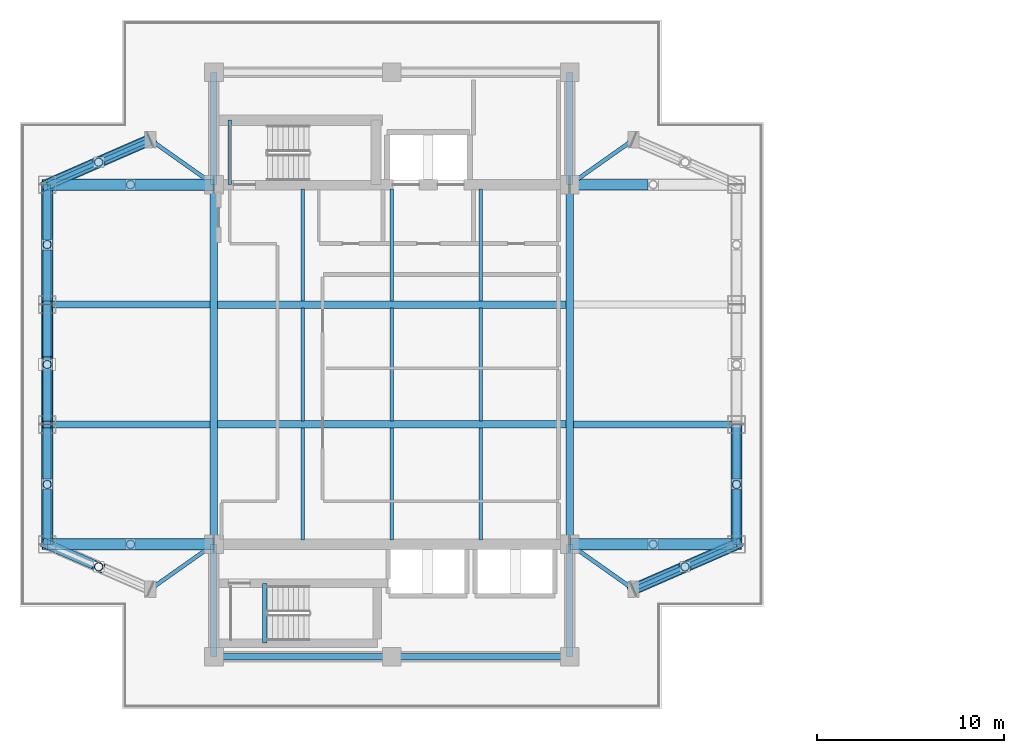
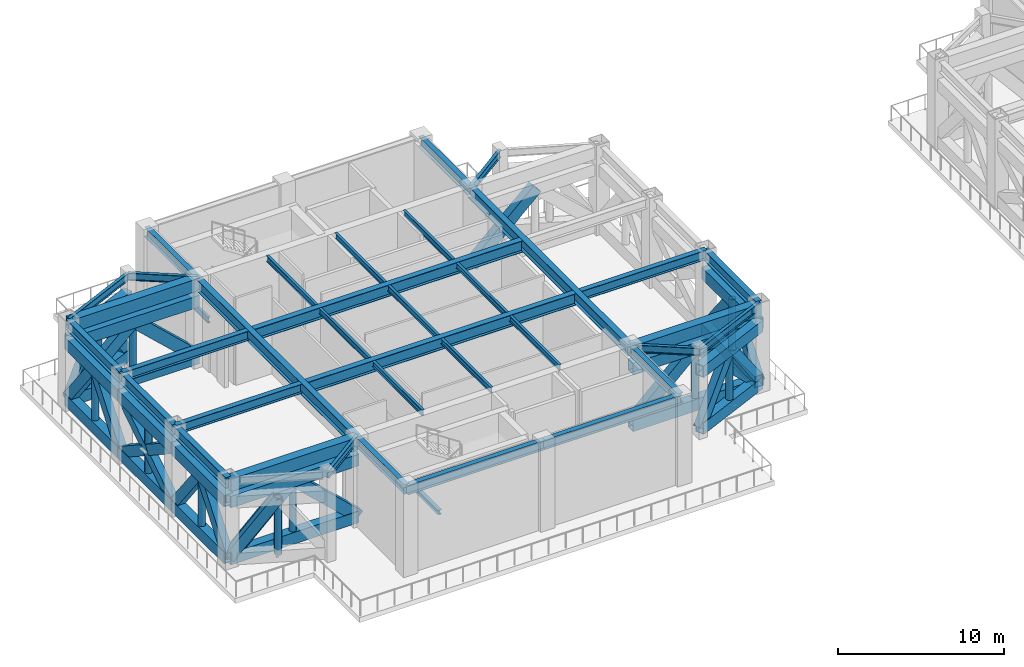
# One storey, part 2 of 18: 49 members, 37 beams.
"""IFC4 building model written with IfcOpenShell, lengths in metres."""

from ifc_helpers import new_model, si_unit, direction, frame, origin, origin_2d, place, context, subcontext, project, spatial, rectangle, hollow_rectangle, hollow_circle, i_section, extrude, material, material_profile, profile_set, type_object, element, save


model = new_model("IFC4")

# Units and contexts
model_context = context("Model", 3, precision=1e-05, world=origin(), true_north=direction((0.0, 1.0)))
body_context = subcontext(model_context, "Body", "Model", "MODEL_VIEW")
ifc_project = project(units=[si_unit("LENGTHUNIT", "METRE"), si_unit("AREAUNIT", "SQUARE_METRE"), si_unit("VOLUMEUNIT", "CUBIC_METRE"), si_unit("PLANEANGLEUNIT", "RADIAN"), si_unit("MASSUNIT", "GRAM", prefix="KILO")], contexts=[model_context])

# Site, building, storey
site_placement = place(None, origin())
site = spatial("IfcSite", under=ifc_project, at=site_placement, CompositionType="ELEMENT")
building_placement = place(site_placement, origin())
building = spatial("IfcBuilding", under=site, at=building_placement, Name="Mirazonda Arch Towers", CompositionType="ELEMENT")
storey_placement = place(building_placement, frame((0.0, 0.0, 147.800048828125)))
storey = spatial("IfcBuildingStorey", under=building, at=storey_placement, Name="L42", CompositionType="ELEMENT", Elevation=147.800048828125)

# Beams
ifc_material_1 = material(Name="Steel ASTM A992 Grade 50", Category="steel")
ifc_material_profile_1 = material_profile(ifc_material_1, i_section(OverallWidth=0.381103515625, OverallDepth=0.77294921875, WebThickness=0.0166015625, FlangeThickness=0.027099609375, at=origin_2d()), Name="W30X173")
ifc_profile_set_1 = profile_set([ifc_material_profile_1], Name="Steel ASTM A992 Grade 50")
beam_type_1 = type_object("IfcBeamType", Name="BM-EXT-W30X173", PredefinedType="USERDEFINED", material=ifc_profile_set_1)
beam_1_placement = place(storey_placement, frame((2.10009765625, 18.39990234375, 6.013427734375), z_axis=(0.0, 1.0, 0.0), x_axis=(-1.0, 0.0, 0.0)))
element("IfcBeam", 1, at=beam_1_placement, inside=storey, type_object=beam_type_1, Name="L42 Floor Beam BM-T1-L42-NS-W-18", ObjectType="GIRDER", PredefinedType="USERDEFINED", context=body_context, shape_type="SweptSolid", body=[
    extrude(i_section(OverallWidth=0.381103515625, OverallDepth=0.77294921875, WebThickness=0.0166015625, FlangeThickness=0.027099609375, at=origin_2d()), origin(), (0.0, 0.0, 1.0), 6.400146484375),
])
beam_2_placement = place(storey_placement, frame((2.10009765625, 24.800048828125, 6.013427734375), z_axis=(0.0, 1.0, 0.0), x_axis=(-1.0, 0.0, 0.0)))
element("IfcBeam", 2, at=beam_2_placement, inside=storey, type_object=beam_type_1, Name="L42 Floor Beam BM-T1-L42-NS-W-24", ObjectType="GIRDER", PredefinedType="USERDEFINED", context=body_context, shape_type="SweptSolid", body=[
    extrude(i_section(OverallWidth=0.381103515625, OverallDepth=0.77294921875, WebThickness=0.0166015625, FlangeThickness=0.027099609375, at=origin_2d()), origin(), (0.0, 0.0, 1.0), 6.39990234375),
])
for number, where, z_axis, x_axis, name in (
    (3, (2.10009765625, 31.199951171875, 6.013427734375), (0.0, 1.0, 0.0), (-1.0, 0.0, 0.0), "L42 Floor Beam BM-T1-L42-NS-W-31"),
    (4, (38.89990234375, 18.39990234375, 6.013427734375), (0.0, 1.0, 0.0), (-1.0, 0.0, 0.0), "L42 Floor Beam BM-T1-L42-NS-E-18"),
):
    element("IfcBeam", number, at=place(storey_placement, frame(where, z_axis=z_axis, x_axis=x_axis)), inside=storey, type_object=beam_type_1, Name=name, ObjectType="GIRDER", PredefinedType="USERDEFINED", context=body_context, shape_type="SweptSolid", body=[
        extrude(i_section(OverallWidth=0.381103515625, OverallDepth=0.77294921875, WebThickness=0.0166015625, FlangeThickness=0.027099609375, at=origin_2d()), origin(), (0.0, 0.0, 1.0), 6.400146484375),
    ])
ifc_material_profile_2 = material_profile(ifc_material_1, i_section(OverallWidth=0.257080078125, OverallDepth=0.330078125, WebThickness=0.011962890625, FlangeThickness=0.01953125, at=origin_2d()), Name="W10X68")
ifc_profile_set_2 = profile_set([ifc_material_profile_2], Name="Steel ASTM A992 Grade 50")
beam_type_2 = type_object("IfcBeamType", Name="BM-INT-W10X68", PredefinedType="BEAM", material=ifc_profile_set_2)
beam_3_placement = place(storey_placement, frame((13.719970703125, 13.1201171875, 2.93505859375), z_axis=(0.0, 1.0, 0.0), x_axis=(-1.0, 0.0, 0.0)))
element("IfcBeam", 5, at=beam_3_placement, inside=storey, type_object=beam_type_2, Name="L42 ST-T1S Landing Trimmer Beam", PredefinedType="BEAM", context=body_context, shape_type="SweptSolid", body=[
    extrude(i_section(OverallWidth=0.257080078125, OverallDepth=0.330078125, WebThickness=0.011962890625, FlangeThickness=0.01953125, at=origin_2d()), origin(), (0.0, 0.0, 1.0), 3.199951171875),
])
ifc_material_profile_3 = material_profile(ifc_material_1, i_section(OverallWidth=0.180908203125, OverallDepth=0.4169921875, WebThickness=0.010986328125, FlangeThickness=0.018310546875, at=origin_2d()), Name="W16X57")
ifc_profile_set_3 = profile_set([ifc_material_profile_3], Name="Steel ASTM A992 Grade 50")
beam_type_3 = type_object("IfcBeamType", Name="BM-INT-W16X57", PredefinedType="JOIST", material=ifc_profile_set_3)
beam_4_placement = place(storey_placement, frame((11.85009765625, 37.60009765625, 2.841552734375), z_axis=(0.0, 1.0, 0.0), x_axis=(-1.0, 0.0, 0.0)))
element("IfcBeam", 6, at=beam_4_placement, inside=storey, type_object=beam_type_3, Name="L42 Floor Beam BM-T1-L42-STL2", PredefinedType="JOIST", context=body_context, shape_type="SweptSolid", body=[
    extrude(i_section(OverallWidth=0.180908203125, OverallDepth=0.4169921875, WebThickness=0.010986328125, FlangeThickness=0.018310546875, at=origin_2d()), origin(), (0.0, 0.0, 1.0), 3.44287109375),
])
for number, where, z_axis, x_axis, name in (
    (7, (15.75, 18.639892578125, 6.19140625), (0.0, 1.0, 0.0), (-1.0, 0.0, 0.0), "L42 Floor Beam BM-T1-L42-J-157-18"),
    (8, (15.75, 31.39599609375, 6.19140625), (0.0, 1.0, 0.0), (-1.0, 0.0, 0.0), "L42 Floor Beam BM-T1-L42-J-157-31"),
):
    element("IfcBeam", number, at=place(storey_placement, frame(where, z_axis=z_axis, x_axis=x_axis)), inside=storey, type_object=beam_type_3, Name=name, PredefinedType="JOIST", context=body_context, shape_type="SweptSolid", body=[
        extrude(i_section(OverallWidth=0.180908203125, OverallDepth=0.4169921875, WebThickness=0.010986328125, FlangeThickness=0.018310546875, at=origin_2d()), origin(), (0.0, 0.0, 1.0), 5.964111328125),
    ])
beam_5_placement = place(storey_placement, frame((15.75, 24.99609375, 6.19140625), z_axis=(0.0, 1.0, 0.0), x_axis=(-1.0, 0.0, 0.0)))
element("IfcBeam", 9, at=beam_5_placement, inside=storey, type_object=beam_type_3, Name="L42 Floor Beam BM-T1-L42-J-157-24", PredefinedType="JOIST", context=body_context, shape_type="SweptSolid", body=[
    extrude(i_section(OverallWidth=0.180908203125, OverallDepth=0.4169921875, WebThickness=0.010986328125, FlangeThickness=0.018310546875, at=origin_2d()), origin(), (0.0, 0.0, 1.0), 6.0078125),
])
for number, where, z_axis, x_axis, name in (
    (10, (20.5, 18.639892578125, 6.19140625), (0.0, 1.0, 0.0), (-1.0, 0.0, 0.0), "L42 Floor Beam BM-T1-L42-J-205-18"),
    (11, (20.5, 31.39599609375, 6.19140625), (0.0, 1.0, 0.0), (-1.0, 0.0, 0.0), "L42 Floor Beam BM-T1-L42-J-205-31"),
):
    element("IfcBeam", number, at=place(storey_placement, frame(where, z_axis=z_axis, x_axis=x_axis)), inside=storey, type_object=beam_type_3, Name=name, PredefinedType="JOIST", context=body_context, shape_type="SweptSolid", body=[
        extrude(i_section(OverallWidth=0.180908203125, OverallDepth=0.4169921875, WebThickness=0.010986328125, FlangeThickness=0.018310546875, at=origin_2d()), origin(), (0.0, 0.0, 1.0), 5.964111328125),
    ])
beam_6_placement = place(storey_placement, frame((20.5, 24.99609375, 6.19140625), z_axis=(0.0, 1.0, 0.0), x_axis=(-1.0, 0.0, 0.0)))
element("IfcBeam", 12, at=beam_6_placement, inside=storey, type_object=beam_type_3, Name="L42 Floor Beam BM-T1-L42-J-205-24", PredefinedType="JOIST", context=body_context, shape_type="SweptSolid", body=[
    extrude(i_section(OverallWidth=0.180908203125, OverallDepth=0.4169921875, WebThickness=0.010986328125, FlangeThickness=0.018310546875, at=origin_2d()), origin(), (0.0, 0.0, 1.0), 6.0078125),
])
for number, where, z_axis, x_axis, name in (
    (13, (25.25, 18.639892578125, 6.19140625), (0.0, 1.0, 0.0), (-1.0, 0.0, 0.0), "L42 Floor Beam BM-T1-L42-J-252-18"),
    (14, (25.25, 31.39599609375, 6.19140625), (0.0, 1.0, 0.0), (-1.0, 0.0, 0.0), "L42 Floor Beam BM-T1-L42-J-252-31"),
):
    element("IfcBeam", number, at=place(storey_placement, frame(where, z_axis=z_axis, x_axis=x_axis)), inside=storey, type_object=beam_type_3, Name=name, PredefinedType="JOIST", context=body_context, shape_type="SweptSolid", body=[
        extrude(i_section(OverallWidth=0.180908203125, OverallDepth=0.4169921875, WebThickness=0.010986328125, FlangeThickness=0.018310546875, at=origin_2d()), origin(), (0.0, 0.0, 1.0), 5.964111328125),
    ])
beam_7_placement = place(storey_placement, frame((25.25, 24.99609375, 6.19140625), z_axis=(0.0, 1.0, 0.0), x_axis=(-1.0, 0.0, 0.0)))
element("IfcBeam", 15, at=beam_7_placement, inside=storey, type_object=beam_type_3, Name="L42 Floor Beam BM-T1-L42-J-252-24", PredefinedType="JOIST", context=body_context, shape_type="SweptSolid", body=[
    extrude(i_section(OverallWidth=0.180908203125, OverallDepth=0.4169921875, WebThickness=0.010986328125, FlangeThickness=0.018310546875, at=origin_2d()), origin(), (0.0, 0.0, 1.0), 6.0078125),
])
ifc_material_profile_4 = material_profile(ifc_material_1, i_section(OverallWidth=0.214111328125, OverallDepth=0.549072265625, WebThickness=0.0146484375, FlangeThickness=0.023681640625, at=origin_2d()), Name="W21X93")
ifc_profile_set_4 = profile_set([ifc_material_profile_4], Name="Steel ASTM A992 Grade 50")
beam_type_4 = type_object("IfcBeamType", Name="BM-INT-W21X93", PredefinedType="BEAM", material=ifc_profile_set_4)
for number, where, z_axis, x_axis, name in (
    (16, (7.60009765625, 16.0, 6.12548828125), (0.816971114901, 0.576678591087, 0.0), (-0.576678591087, 0.816971114901, 0.0), "L42 Floor Beam BM-T1-L42-PL-SW1"),
    (17, (33.39990234375, 16.0, 6.12548828125), (-0.816971114901, 0.576678591087, 0.0), (-0.576678591087, -0.816971114901, 0.0), "L42 Floor Beam BM-T1-L42-PL-SE1"),
):
    element("IfcBeam", number, at=place(storey_placement, frame(where, z_axis=z_axis, x_axis=x_axis)), inside=storey, type_object=beam_type_4, Name=name, PredefinedType="BEAM", context=body_context, shape_type="SweptSolid", body=[
        extrude(i_section(OverallWidth=0.214111328125, OverallDepth=0.549072265625, WebThickness=0.0146484375, FlangeThickness=0.023681640625, at=origin_2d()), origin(), (0.0, 0.0, 1.0), 4.16162109375),
    ])
beam_8_placement = place(storey_placement, frame((33.39990234375, 16.0, 6.12548828125), z_axis=(0.916545343703, 0.399930785183, 0.0), x_axis=(-0.399930785183, 0.916545343703, 0.0)))
element("IfcBeam", 18, at=beam_8_placement, inside=storey, type_object=beam_type_4, Name="L42 Floor Beam BM-T1-L42-PL-SE2", PredefinedType="BEAM", context=body_context, shape_type="SweptSolid", body=[
    extrude(i_section(OverallWidth=0.214111328125, OverallDepth=0.549072265625, WebThickness=0.0146484375, FlangeThickness=0.023681640625, at=origin_2d()), origin(), (0.0, 0.0, 1.0), 6.000732421875),
])
beam_9_placement = place(storey_placement, frame((7.60009765625, 40.0, 6.12548828125), z_axis=(0.816971114901, -0.576678591087, 0.0), x_axis=(0.576678591087, 0.816971114901, 0.0)))
element("IfcBeam", 19, at=beam_9_placement, inside=storey, type_object=beam_type_4, Name="L42 Floor Beam BM-T1-L42-PL-NW1", PredefinedType="BEAM", context=body_context, shape_type="SweptSolid", body=[
    extrude(i_section(OverallWidth=0.214111328125, OverallDepth=0.549072265625, WebThickness=0.0146484375, FlangeThickness=0.023681640625, at=origin_2d()), origin(), (0.0, 0.0, 1.0), 4.16162109375),
])
beam_10_placement = place(storey_placement, frame((7.60009765625, 40.0, 6.12548828125), z_axis=(-0.916545343703, -0.399930785183, 0.0), x_axis=(0.399930785183, -0.916545343703, 0.0)))
element("IfcBeam", 20, at=beam_10_placement, inside=storey, type_object=beam_type_4, Name="L42 Floor Beam BM-T1-L42-PL-NW2", PredefinedType="BEAM", context=body_context, shape_type="SweptSolid", body=[
    extrude(i_section(OverallWidth=0.214111328125, OverallDepth=0.549072265625, WebThickness=0.0146484375, FlangeThickness=0.023681640625, at=origin_2d()), origin(), (0.0, 0.0, 1.0), 6.000732421875),
])
beam_11_placement = place(storey_placement, frame((33.39990234375, 40.0, 6.12548828125), z_axis=(-0.816971114901, -0.576678591087, 0.0), x_axis=(0.576678591087, -0.816971114901, 0.0)))
element("IfcBeam", 21, at=beam_11_placement, inside=storey, type_object=beam_type_4, Name="L42 Floor Beam BM-T1-L42-PL-NE1", PredefinedType="BEAM", context=body_context, shape_type="SweptSolid", body=[
    extrude(i_section(OverallWidth=0.214111328125, OverallDepth=0.549072265625, WebThickness=0.0146484375, FlangeThickness=0.023681640625, at=origin_2d()), origin(), (0.0, 0.0, 1.0), 4.16162109375),
])
ifc_material_profile_5 = material_profile(ifc_material_1, i_section(OverallWidth=0.35498046875, OverallDepth=0.696044921875, WebThickness=0.015380859375, FlangeThickness=0.02490234375, at=origin_2d()), Name="W27X146")
ifc_profile_set_5 = profile_set([ifc_material_profile_5], Name="Steel ASTM A992 Grade 50")
beam_type_5 = type_object("IfcBeamType", Name="BM-INT-W27X146", PredefinedType="BEAM", material=ifc_profile_set_5)
for number, where, z_axis, x_axis, name in (
    (22, (2.10009765625, 24.800048828125, 6.052001953125), (1.0, 0.0, 0.0), (0.0, 1.0, 0.0), "L42 Floor Beam BM-T1-L42-GW2"),
    (23, (30.199951171875, 24.800048828125, 6.052001953125), (1.0, 0.0, 0.0), (0.0, 1.0, 0.0), "L42 Floor Beam BM-T1-L42-GE2"),
    (24, (2.10009765625, 31.199951171875, 6.052001953125), (1.0, 0.0, 0.0), (0.0, 1.0, 0.0), "L42 Floor Beam BM-T1-L42-GW3"),
):
    element("IfcBeam", number, at=place(storey_placement, frame(where, z_axis=z_axis, x_axis=x_axis)), inside=storey, type_object=beam_type_5, Name=name, PredefinedType="BEAM", context=body_context, shape_type="SweptSolid", body=[
        extrude(i_section(OverallWidth=0.35498046875, OverallDepth=0.696044921875, WebThickness=0.015380859375, FlangeThickness=0.02490234375, at=origin_2d()), origin(), (0.0, 0.0, 1.0), 8.699951171875),
    ])
for number, where, z_axis, x_axis, name in (
    (25, (11.0, 12.39990234375, 6.052001953125), (1.0, 0.0, 0.0), (0.0, 1.0, 0.0), "L42 Floor Beam BM-T1-L42-CS1"),
    (26, (20.5, 12.39990234375, 6.052001953125), (1.0, 0.0, 0.0), (0.0, 1.0, 0.0), "L42 Floor Beam BM-T1-L42-CS2"),
):
    element("IfcBeam", number, at=place(storey_placement, frame(where, z_axis=z_axis, x_axis=x_axis)), inside=storey, type_object=beam_type_5, Name=name, PredefinedType="BEAM", context=body_context, shape_type="SweptSolid", body=[
        extrude(i_section(OverallWidth=0.35498046875, OverallDepth=0.696044921875, WebThickness=0.015380859375, FlangeThickness=0.02490234375, at=origin_2d()), origin(), (0.0, 0.0, 1.0), 9.5),
    ])
for number, where, z_axis, x_axis, name in (
    (27, (11.0, 12.39990234375, 6.052001953125), (0.0, 1.0, 0.0), (-1.0, 0.0, 0.0), "L42 Floor Beam BM-T1-L42-CSW"),
    (28, (30.0, 12.39990234375, 6.052001953125), (0.0, 1.0, 0.0), (-1.0, 0.0, 0.0), "L42 Floor Beam BM-T1-L42-CSE"),
    (29, (11.0, 37.60009765625, 6.052001953125), (0.0, 1.0, 0.0), (-1.0, 0.0, 0.0), "L42 Floor Beam BM-T1-L42-CNW"),
    (30, (30.0, 37.60009765625, 6.052001953125), (0.0, 1.0, 0.0), (-1.0, 0.0, 0.0), "L42 Floor Beam BM-T1-L42-CNE"),
):
    element("IfcBeam", number, at=place(storey_placement, frame(where, z_axis=z_axis, x_axis=x_axis)), inside=storey, type_object=beam_type_5, Name=name, PredefinedType="BEAM", context=body_context, shape_type="SweptSolid", body=[
        extrude(i_section(OverallWidth=0.35498046875, OverallDepth=0.696044921875, WebThickness=0.015380859375, FlangeThickness=0.02490234375, at=origin_2d()), origin(), (0.0, 0.0, 1.0), 6.0),
    ])
ifc_material_profile_6 = material_profile(ifc_material_1, i_section(OverallWidth=0.39990234375, OverallDepth=0.85595703125, WebThickness=0.018310546875, FlangeThickness=0.029296875, at=origin_2d()), Name="W33X201")
ifc_profile_set_6 = profile_set([ifc_material_profile_6], Name="Steel ASTM A992 Grade 50")
beam_type_6 = type_object("IfcBeamType", Name="BM-INT-W33X201", PredefinedType="USERDEFINED", material=ifc_profile_set_6)
for number, where, z_axis, x_axis, name in (
    (31, (11.199951171875, 24.800048828125, 5.971923828125), (1.0, 0.0, 0.0), (0.0, 1.0, 0.0), "L42 Floor Beam BM-T1-L42-GC2"),
    (32, (11.199951171875, 31.199951171875, 5.971923828125), (1.0, 0.0, 0.0), (0.0, 1.0, 0.0), "L42 Floor Beam BM-T1-L42-GC3"),
):
    element("IfcBeam", number, at=place(storey_placement, frame(where, z_axis=z_axis, x_axis=x_axis)), inside=storey, type_object=beam_type_6, Name=name, ObjectType="GIRDER", PredefinedType="USERDEFINED", context=body_context, shape_type="SweptSolid", body=[
        extrude(i_section(OverallWidth=0.39990234375, OverallDepth=0.85595703125, WebThickness=0.018310546875, FlangeThickness=0.029296875, at=origin_2d()), origin(), (0.0, 0.0, 1.0), 18.60009765625),
    ])
for number, where, z_axis, x_axis, name in (
    (33, (11.0, 18.39990234375, 5.971923828125), (0.0, 1.0, 0.0), (-1.0, 0.0, 0.0), "L42 Floor Beam BM-T1-L42-NS-CW-FULL"),
    (34, (30.0, 18.39990234375, 5.971923828125), (0.0, 1.0, 0.0), (-1.0, 0.0, 0.0), "L42 Floor Beam BM-T1-L42-NS-CE-FULL"),
):
    element("IfcBeam", number, at=place(storey_placement, frame(where, z_axis=z_axis, x_axis=x_axis)), inside=storey, type_object=beam_type_6, Name=name, ObjectType="GIRDER", PredefinedType="USERDEFINED", context=body_context, shape_type="SweptSolid", body=[
        extrude(i_section(OverallWidth=0.39990234375, OverallDepth=0.85595703125, WebThickness=0.018310546875, FlangeThickness=0.029296875, at=origin_2d()), origin(), (0.0, 0.0, 1.0), 19.2001953125),
    ])
ifc_material_2 = material(Name="Concrete C50/60", Category="concrete")
ifc_material_profile_7 = material_profile(ifc_material_2, rectangle(XDim=0.60009765625, YDim=0.89990234375, at=origin_2d()), Name="RCCB600x900")
ifc_profile_set_7 = profile_set([ifc_material_profile_7], Name="Concrete C50/60")
beam_type_7 = type_object("IfcBeamType", Name="CB-INT-RCCB600x900", PredefinedType="SPANDREL", material=ifc_profile_set_7)
for number, where, z_axis, x_axis, name in (
    (35, (2.10009765625, 37.60009765625, 5.949951171875), (1.0, 0.0, 0.0), (0.0, 1.0, 0.0), "L42 Floor Beam CB-T1-L42-NW"),
    (36, (2.10009765625, 18.39990234375, 5.949951171875), (1.0, 0.0, 0.0), (0.0, 1.0, 0.0), "L42 Floor Beam CB-T1-L42-SW"),
    (37, (30.0, 18.39990234375, 5.949951171875), (1.0, 0.0, 0.0), (0.0, 1.0, 0.0), "L42 Floor Beam CB-T1-L42-SE"),
):
    element("IfcBeam", number, at=place(storey_placement, frame(where, z_axis=z_axis, x_axis=x_axis)), inside=storey, type_object=beam_type_7, Name=name, PredefinedType="SPANDREL", context=body_context, shape_type="SweptSolid", body=[
        extrude(rectangle(XDim=0.60009765625, YDim=0.89990234375, at=origin_2d()), origin(), (0.0, 0.0, 1.0), 8.89990234375),
    ])

# Members
ifc_material_3 = material(Name="Steel ASTM A572 Grade 50", Category="steel")
ifc_material_profile_8 = material_profile(ifc_material_3, hollow_rectangle(XDim=0.60009765625, YDim=0.85009765625, WallThickness=0.048095703125, at=origin_2d()), Name="BELTCHORD850x600x48")
ifc_profile_set_8 = profile_set([ifc_material_profile_8], Name="Steel ASTM A572 Grade 50")
member_type_1 = type_object("IfcMemberType", Name="MBR-EXT-BELTCHORD850x600x48", PredefinedType="CHORD", material=ifc_profile_set_8)
for number, where, z_axis, x_axis, name in (
    (38, (2.10009765625, 18.39990234375, 0.550048828125), (0.0, 1.0, 0.0), (-1.0, 0.0, 0.0), "L42 T1 Wind-Portal Belt Chord BC01"),
    (39, (2.10009765625, 18.39990234375, 4.719970703125), (0.0, 1.0, 0.0), (-1.0, 0.0, 0.0), "L42 T1 Wind-Portal Belt Chord TC01"),
):
    element("IfcMember", number, at=place(storey_placement, frame(where, z_axis=z_axis, x_axis=x_axis)), inside=storey, type_object=member_type_1, Name=name, PredefinedType="CHORD", context=body_context, shape_type="SweptSolid", body=[
        extrude(hollow_rectangle(XDim=0.60009765625, YDim=0.85009765625, WallThickness=0.048095703125, at=origin_2d()), origin(), (0.0, 0.0, 1.0), 6.400146484375),
    ])
for number, where, z_axis, x_axis, name in (
    (40, (2.10009765625, 24.800048828125, 0.550048828125), (0.0, 1.0, 0.0), (-1.0, 0.0, 0.0), "L42 T1 Wind-Portal Belt Chord BC02"),
    (41, (2.10009765625, 24.800048828125, 4.719970703125), (0.0, 1.0, 0.0), (-1.0, 0.0, 0.0), "L42 T1 Wind-Portal Belt Chord TC02"),
):
    element("IfcMember", number, at=place(storey_placement, frame(where, z_axis=z_axis, x_axis=x_axis)), inside=storey, type_object=member_type_1, Name=name, PredefinedType="CHORD", context=body_context, shape_type="SweptSolid", body=[
        extrude(hollow_rectangle(XDim=0.60009765625, YDim=0.85009765625, WallThickness=0.048095703125, at=origin_2d()), origin(), (0.0, 0.0, 1.0), 6.39990234375),
    ])
for number, where, z_axis, x_axis, name in (
    (42, (2.10009765625, 31.199951171875, 0.550048828125), (0.0, 1.0, 0.0), (-1.0, 0.0, 0.0), "L42 T1 Wind-Portal Belt Chord BC03"),
    (43, (2.10009765625, 31.199951171875, 4.719970703125), (0.0, 1.0, 0.0), (-1.0, 0.0, 0.0), "L42 T1 Wind-Portal Belt Chord TC03"),
    (44, (38.89990234375, 18.39990234375, 0.550048828125), (0.0, 1.0, 0.0), (-1.0, 0.0, 0.0), "L42 T1 Wind-Portal Belt Chord BC04"),
    (45, (38.89990234375, 18.39990234375, 4.719970703125), (0.0, 1.0, 0.0), (-1.0, 0.0, 0.0), "L42 T1 Wind-Portal Belt Chord TC04"),
):
    element("IfcMember", number, at=place(storey_placement, frame(where, z_axis=z_axis, x_axis=x_axis)), inside=storey, type_object=member_type_1, Name=name, PredefinedType="CHORD", context=body_context, shape_type="SweptSolid", body=[
        extrude(hollow_rectangle(XDim=0.60009765625, YDim=0.85009765625, WallThickness=0.048095703125, at=origin_2d()), origin(), (0.0, 0.0, 1.0), 6.400146484375),
    ])
for number, where, z_axis, x_axis, name in (
    (46, (33.39990234375, 16.0, 0.550048828125), (0.916545343703, 0.399930785183, 0.0), (-0.399930785183, 0.916545343703, 0.0), "L42 T1 Wind-Portal Belt Chord BC08"),
    (47, (33.39990234375, 16.0, 4.719970703125), (0.916545343703, 0.399930785183, 0.0), (-0.399930785183, 0.916545343703, 0.0), "L42 T1 Wind-Portal Belt Chord TC08"),
    (48, (2.10009765625, 37.60009765625, 0.550048828125), (0.916545343703, 0.399930785183, 0.0), (-0.399930785183, 0.916545343703, 0.0), "L42 T1 Wind-Portal Belt Chord BC09"),
    (49, (2.10009765625, 37.60009765625, 4.719970703125), (0.916545343703, 0.399930785183, 0.0), (-0.399930785183, 0.916545343703, 0.0), "L42 T1 Wind-Portal Belt Chord TC09"),
):
    element("IfcMember", number, at=place(storey_placement, frame(where, z_axis=z_axis, x_axis=x_axis)), inside=storey, type_object=member_type_1, Name=name, PredefinedType="CHORD", context=body_context, shape_type="SweptSolid", body=[
        extrude(hollow_rectangle(XDim=0.60009765625, YDim=0.85009765625, WallThickness=0.048095703125, at=origin_2d()), origin(), (0.0, 0.0, 1.0), 6.000732421875),
    ])
ifc_material_profile_9 = material_profile(ifc_material_3, hollow_rectangle(XDim=0.5, YDim=0.699951171875, WallThickness=0.0400390625, at=origin_2d()), Name="BELTDIAG700x500x40")
ifc_profile_set_9 = profile_set([ifc_material_profile_9], Name="Steel ASTM A572 Grade 50")
member_type_2 = type_object("IfcMemberType", Name="MBR-EXT-BELTDIAG700x500x40", PredefinedType="BRACE", material=ifc_profile_set_9)
for number, where, z_axis, x_axis, name in (
    (50, (2.10009765625, 18.39990234375, 0.550048828125), (0.0, 0.608821504267, 0.79330723931), (-1.0, 0.0, 0.0), "L42 T1 Wind-Portal Belt Diagonal 01A"),
    (51, (2.10009765625, 24.800048828125, 0.550048828125), (0.0, -0.608792272518, 0.793329672282), (1.0, 0.0, 0.0), "L42 T1 Wind-Portal Belt Diagonal 01B"),
):
    element("IfcMember", number, at=place(storey_placement, frame(where, z_axis=z_axis, x_axis=x_axis)), inside=storey, type_object=member_type_2, Name=name, PredefinedType="BRACE", context=body_context, shape_type="SweptSolid", body=[
        extrude(hollow_rectangle(XDim=0.5, YDim=0.699951171875, WallThickness=0.0400390625, at=origin_2d()), origin(), (0.0, 0.0, 1.0), 5.25634765625),
    ])
member_1_placement = place(storey_placement, frame((2.10009765625, 24.800048828125, 0.550048828125), z_axis=(0.0, 0.837845781509, 0.545906994284), x_axis=(-1.0, 0.0, 0.0)))
element("IfcMember", 52, at=member_1_placement, inside=storey, type_object=member_type_2, Name="L42 T1 Continuous X-Brace Diagonal 02", PredefinedType="BRACE", context=body_context, shape_type="SweptSolid", body=[
    extrude(hollow_rectangle(XDim=0.5, YDim=0.699951171875, WallThickness=0.0400390625, at=origin_2d()), origin(), (0.0, 0.0, 1.0), 7.638427734375),
])
member_2_placement = place(storey_placement, frame((2.10009765625, 31.199951171875, 0.550048828125), z_axis=(0.0, -0.83787261911, 0.545865802323), x_axis=(1.0, 0.0, 0.0)))
element("IfcMember", 53, at=member_2_placement, inside=storey, type_object=member_type_2, Name="L42 T1 Split X-Brace Lower Segment 02", PredefinedType="BRACE", context=body_context, shape_type="SweptSolid", body=[
    extrude(hollow_rectangle(XDim=0.5, YDim=0.699951171875, WallThickness=0.0400390625, at=origin_2d()), origin(), (0.0, 0.0, 1.0), 3.5390625),
])
member_3_placement = place(storey_placement, frame((2.10009765625, 27.765380859375, 2.787841796875), z_axis=(0.0, -0.837841068227, 0.545914228054), x_axis=(1.0, 0.0, 0.0)))
element("IfcMember", 54, at=member_3_placement, inside=storey, type_object=member_type_2, Name="L42 T1 Split X-Brace Upper Segment 02", PredefinedType="BRACE", context=body_context, shape_type="SweptSolid", body=[
    extrude(hollow_rectangle(XDim=0.5, YDim=0.699951171875, WallThickness=0.0400390625, at=origin_2d()), origin(), (0.0, 0.0, 1.0), 3.539306640625),
])
for number, where, z_axis, x_axis, name in (
    (55, (2.10009765625, 31.199951171875, 0.550048828125), (0.0, 0.608792272518, 0.793329672282), (-1.0, 0.0, 0.0), "L42 T1 Wind-Portal Belt Diagonal 03A"),
    (56, (2.10009765625, 37.60009765625, 0.550048828125), (0.0, -0.608821504267, 0.79330723931), (1.0, 0.0, 0.0), "L42 T1 Wind-Portal Belt Diagonal 03B"),
    (57, (38.89990234375, 18.39990234375, 0.550048828125), (0.0, 0.608821504267, 0.79330723931), (-1.0, 0.0, 0.0), "L42 T1 Wind-Portal Belt Diagonal 04A"),
    (58, (38.89990234375, 24.800048828125, 0.550048828125), (0.0, -0.608792272518, 0.793329672282), (1.0, 0.0, 0.0), "L42 T1 Wind-Portal Belt Diagonal 04B"),
):
    element("IfcMember", number, at=place(storey_placement, frame(where, z_axis=z_axis, x_axis=x_axis)), inside=storey, type_object=member_type_2, Name=name, PredefinedType="BRACE", context=body_context, shape_type="SweptSolid", body=[
        extrude(hollow_rectangle(XDim=0.5, YDim=0.699951171875, WallThickness=0.0400390625, at=origin_2d()), origin(), (0.0, 0.0, 1.0), 5.25634765625),
    ])
for number, where, z_axis, x_axis, name in (
    (59, (2.10009765625, 18.39990234375, 0.550048828125), (0.535313017564, -0.233581630089, 0.81171398615), (0.399930785183, 0.916545343703, 0.0), "L42 T1 Wind-Portal Belt Diagonal 07A"),
    (60, (33.39990234375, 16.0, 0.550048828125), (0.535313017564, 0.233581630089, 0.81171398615), (-0.399930785183, 0.916545343703, 0.0), "L42 T1 Wind-Portal Belt Diagonal 08A"),
    (61, (38.89990234375, 18.39990234375, 0.550048828125), (-0.535313017564, -0.233581630089, 0.81171398615), (0.399930785183, -0.916545343703, 0.0), "L42 T1 Wind-Portal Belt Diagonal 08B"),
    (62, (2.10009765625, 37.60009765625, 0.550048828125), (0.535313017564, 0.233581630089, 0.81171398615), (-0.399930785183, 0.916545343703, 0.0), "L42 T1 Wind-Portal Belt Diagonal 09A"),
    (63, (7.60009765625, 40.0, 0.550048828125), (-0.535313017564, -0.233581630089, 0.81171398615), (0.399930785183, -0.916545343703, 0.0), "L42 T1 Wind-Portal Belt Diagonal 09B"),
):
    element("IfcMember", number, at=place(storey_placement, frame(where, z_axis=z_axis, x_axis=x_axis)), inside=storey, type_object=member_type_2, Name=name, PredefinedType="BRACE", context=body_context, shape_type="SweptSolid", body=[
        extrude(hollow_rectangle(XDim=0.5, YDim=0.699951171875, WallThickness=0.0400390625, at=origin_2d()), origin(), (0.0, 0.0, 1.0), 5.13720703125),
    ])
ifc_material_profile_10 = material_profile(ifc_material_3, hollow_circle(Radius=0.228515625, WallThickness=0.02197265625, at=origin_2d()), Name="BELTSTRUT457x22CHS")
ifc_profile_set_10 = profile_set([ifc_material_profile_10], Name="Steel ASTM A572 Grade 50")
member_type_3 = type_object("IfcMemberType", Name="MBR-EXT-BELTSTRUT457x22CHS", PredefinedType="STRUT", material=ifc_profile_set_10)
for number, where, z_axis, x_axis, name in (
    (64, (2.10009765625, 21.60009765625, 0.550048828125), (0.0, 0.0, 1.0), (1.0, 0.0, 0.0), "L42 T1 Wind-Portal Belt Strut 01"),
    (65, (2.10009765625, 28.0, 0.550048828125), (0.0, 0.0, 1.0), (1.0, 0.0, 0.0), "L42 T1 Wind-Portal Belt Strut 02"),
    (66, (2.10009765625, 34.39990234375, 0.550048828125), (0.0, 0.0, 1.0), (1.0, 0.0, 0.0), "L42 T1 Wind-Portal Belt Strut 03"),
    (67, (38.89990234375, 21.60009765625, 0.550048828125), (0.0, 0.0, 1.0), (1.0, 0.0, 0.0), "L42 T1 Wind-Portal Belt Strut 04"),
    (68, (4.85009765625, 17.199951171875, 0.550048828125), (0.0, 0.0, 1.0), (1.0, 0.0, 0.0), "L42 T1 Wind-Portal Belt Strut 07"),
    (69, (36.14990234375, 17.199951171875, 0.550048828125), (0.0, 0.0, 1.0), (1.0, 0.0, 0.0), "L42 T1 Wind-Portal Belt Strut 08"),
    (70, (4.85009765625, 38.800048828125, 0.550048828125), (0.0, 0.0, 1.0), (1.0, 0.0, 0.0), "L42 T1 Wind-Portal Belt Strut 09"),
):
    element("IfcMember", number, at=place(storey_placement, frame(where, z_axis=z_axis, x_axis=x_axis)), inside=storey, type_object=member_type_3, Name=name, PredefinedType="STRUT", context=body_context, shape_type="SweptSolid", body=[
        extrude(hollow_circle(Radius=0.228515625, WallThickness=0.02197265625, at=origin_2d()), origin(), (0.0, 0.0, 1.0), 4.169921875),
    ])
ifc_material_profile_11 = material_profile(ifc_material_3, hollow_rectangle(XDim=0.60009765625, YDim=0.85009765625, WallThickness=0.048095703125, at=origin_2d()), Name="BELTCHORD850x600x48")
ifc_profile_set_11 = profile_set([ifc_material_profile_11], Name="Steel ASTM A572 Grade 50")
member_type_4 = type_object("IfcMemberType", Name="MBR-INT-BELTCHORD850x600x48", PredefinedType="CHORD", material=ifc_profile_set_11)
for number, where, z_axis, x_axis, name in (
    (71, (2.10009765625, 18.39990234375, 0.550048828125), (1.0, 0.0, 0.0), (0.0, 1.0, 0.0), "L42 T1 Core Outrigger Chord BC01"),
    (72, (2.10009765625, 18.39990234375, 4.719970703125), (1.0, 0.0, 0.0), (0.0, 1.0, 0.0), "L42 T1 Core Outrigger Chord TC01"),
    (73, (30.0, 18.39990234375, 0.550048828125), (1.0, 0.0, 0.0), (0.0, 1.0, 0.0), "L42 T1 Core Outrigger Chord BC02"),
    (74, (30.0, 18.39990234375, 4.719970703125), (1.0, 0.0, 0.0), (0.0, 1.0, 0.0), "L42 T1 Core Outrigger Chord TC02"),
    (75, (2.10009765625, 37.60009765625, 0.550048828125), (1.0, 0.0, 0.0), (0.0, 1.0, 0.0), "L42 T1 Core Outrigger Chord BC03"),
    (76, (2.10009765625, 37.60009765625, 4.719970703125), (1.0, 0.0, 0.0), (0.0, 1.0, 0.0), "L42 T1 Core Outrigger Chord TC03"),
):
    element("IfcMember", number, at=place(storey_placement, frame(where, z_axis=z_axis, x_axis=x_axis)), inside=storey, type_object=member_type_4, Name=name, PredefinedType="CHORD", context=body_context, shape_type="SweptSolid", body=[
        extrude(hollow_rectangle(XDim=0.60009765625, YDim=0.85009765625, WallThickness=0.048095703125, at=origin_2d()), origin(), (0.0, 0.0, 1.0), 8.89990234375),
    ])
ifc_material_profile_12 = material_profile(ifc_material_3, hollow_circle(Radius=0.228515625, WallThickness=0.02197265625, at=origin_2d()), Name="BELTSTRUT457x22CHS")
ifc_profile_set_12 = profile_set([ifc_material_profile_12], Name="Steel ASTM A572 Grade 50")
member_type_5 = type_object("IfcMemberType", Name="MBR-INT-BELTSTRUT457x22CHS", PredefinedType="STRUT", material=ifc_profile_set_12)
for number, where, z_axis, x_axis, name in (
    (77, (6.550048828125, 18.39990234375, 0.550048828125), (0.0, 0.0, 1.0), (1.0, 0.0, 0.0), "L42 T1 Core Outrigger Strut 01"),
    (78, (34.449951171875, 18.39990234375, 0.550048828125), (0.0, 0.0, 1.0), (1.0, 0.0, 0.0), "L42 T1 Core Outrigger Strut 02"),
    (79, (6.550048828125, 37.60009765625, 0.550048828125), (0.0, 0.0, 1.0), (1.0, 0.0, 0.0), "L42 T1 Core Outrigger Strut 03"),
):
    element("IfcMember", number, at=place(storey_placement, frame(where, z_axis=z_axis, x_axis=x_axis)), inside=storey, type_object=member_type_5, Name=name, PredefinedType="STRUT", context=body_context, shape_type="SweptSolid", body=[
        extrude(hollow_circle(Radius=0.228515625, WallThickness=0.02197265625, at=origin_2d()), origin(), (0.0, 0.0, 1.0), 4.169921875),
    ])
ifc_material_profile_13 = material_profile(ifc_material_3, hollow_rectangle(XDim=0.550048828125, YDim=0.800048828125, WallThickness=0.044921875, at=origin_2d()), Name="OUTRIGGER800x550x45")
ifc_profile_set_13 = profile_set([ifc_material_profile_13], Name="Steel ASTM A572 Grade 50")
member_type_6 = type_object("IfcMemberType", Name="MBR-INT-OUTRIGGER800x550x45", PredefinedType="BRACE", material=ifc_profile_set_13)
for number, where, z_axis, x_axis, name in (
    (80, (2.10009765625, 18.39990234375, 0.550048828125), (0.729693241457, 0.0, 0.683774651016), (0.0, 1.0, 0.0), "L42 T1 Core Outrigger Diagonal 01A"),
    (81, (11.0, 18.39990234375, 0.550048828125), (-0.729693241457, 0.0, 0.683774651016), (0.0, -1.0, 0.0), "L42 T1 Core Outrigger Diagonal 01B"),
    (82, (30.0, 18.39990234375, 0.550048828125), (0.729693241457, 0.0, 0.683774651016), (0.0, 1.0, 0.0), "L42 T1 Core Outrigger Diagonal 02A"),
    (83, (38.89990234375, 18.39990234375, 0.550048828125), (-0.729693241457, 0.0, 0.683774651016), (0.0, -1.0, 0.0), "L42 T1 Core Outrigger Diagonal 02B"),
    (84, (2.10009765625, 37.60009765625, 0.550048828125), (0.729693241457, 0.0, 0.683774651016), (0.0, 1.0, 0.0), "L42 T1 Core Outrigger Diagonal 03A"),
    (85, (11.0, 37.60009765625, 0.550048828125), (-0.729693241457, 0.0, 0.683774651016), (0.0, -1.0, 0.0), "L42 T1 Core Outrigger Diagonal 03B"),
    (86, (30.0, 37.60009765625, 0.550048828125), (0.729693241457, 0.0, 0.683774651016), (0.0, 1.0, 0.0), "L42 T1 Core Outrigger Diagonal 04A"),
):
    element("IfcMember", number, at=place(storey_placement, frame(where, z_axis=z_axis, x_axis=x_axis)), inside=storey, type_object=member_type_6, Name=name, PredefinedType="BRACE", context=body_context, shape_type="SweptSolid", body=[
        extrude(hollow_rectangle(XDim=0.550048828125, YDim=0.800048828125, WallThickness=0.044921875, at=origin_2d()), origin(), (0.0, 0.0, 1.0), 6.098388671875),
    ])

save(model, "model.ifc")
